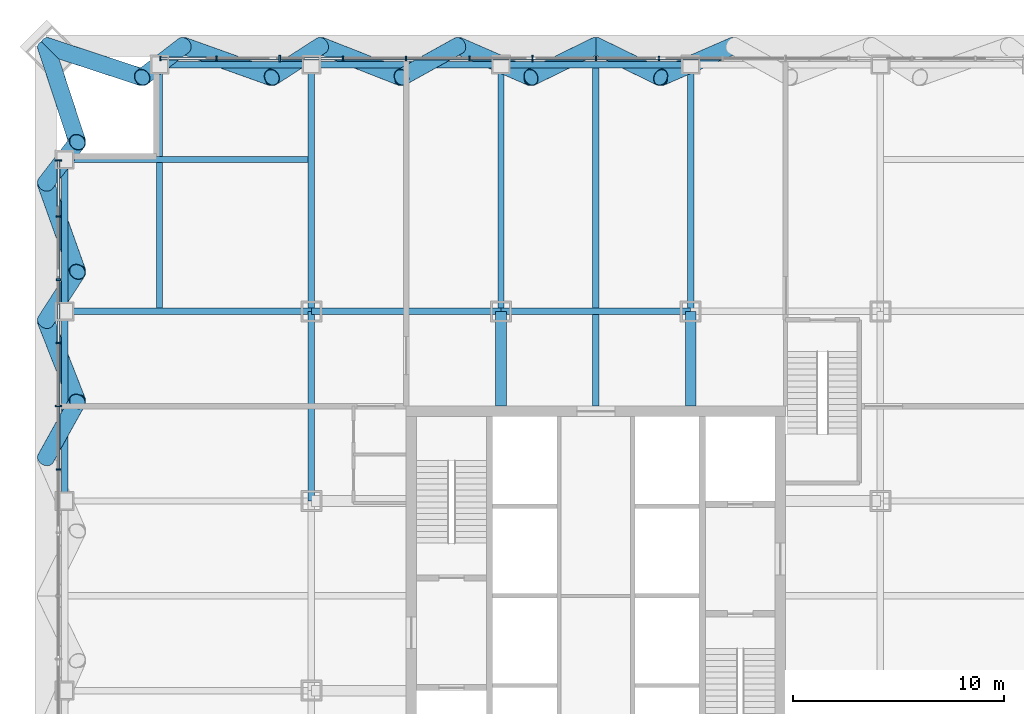
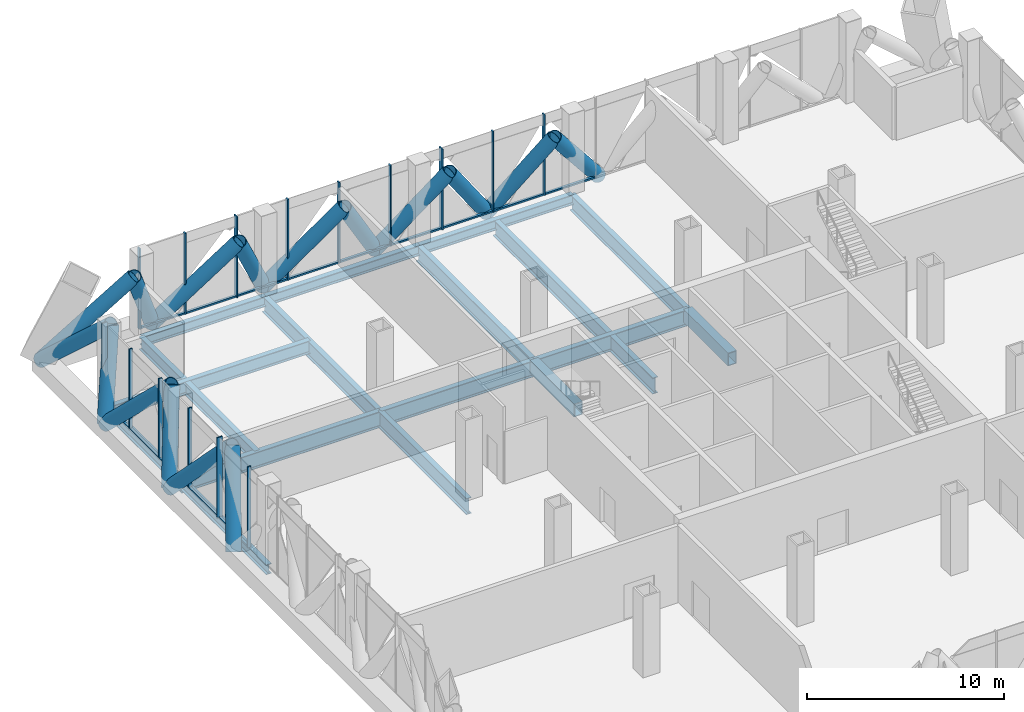
# One storey, part 10 of 26: 45 members, 17 beams, 2 elements without a shape of their own.
"""IFC4 building model written with IfcOpenShell, lengths in metres."""

from ifc_helpers import new_model, si_unit, direction, frame, origin, origin_2d, place, context, subcontext, project, spatial, rectangle, hollow_rectangle, hollow_circle, i_section, extrude, material, layer, layer_set, material_profile, profile_set, type_object, element, aggregate, save


model = new_model("IFC4")

# Units and contexts
model_context = context("Model", 3, precision=1e-05, world=origin(), true_north=direction((0.0, 1.0)))
body_context = subcontext(model_context, "Body", "Model", "MODEL_VIEW")
ifc_project = project(units=[si_unit("LENGTHUNIT", "METRE"), si_unit("AREAUNIT", "SQUARE_METRE"), si_unit("VOLUMEUNIT", "CUBIC_METRE"), si_unit("PLANEANGLEUNIT", "RADIAN"), si_unit("MASSUNIT", "GRAM", prefix="KILO")], contexts=[model_context])

# Site, building, storey
site_placement = place(None, origin())
site = spatial("IfcSite", under=ifc_project, at=site_placement, CompositionType="ELEMENT")
building_placement = place(site_placement, origin())
building = spatial("IfcBuilding", under=site, at=building_placement, Name="Malebo Sky Hospital", CompositionType="ELEMENT")
storey_placement = place(building_placement, frame((0.0, 0.0, 95.0)))
storey = spatial("IfcBuildingStorey", under=building, at=storey_placement, Name="L22", CompositionType="ELEMENT", Elevation=95.0)

# Curtain wall, members
ifc_material_1 = material(Name="Anodised aluminium, natural silver", Category="aluminium")
ifc_layer = layer(ifc_material_1, 0.25)
ifc_layer_set = layer_set([ifc_layer], Name="PLANT LOUVRE SCREEN")
curtain_wall_type = type_object("IfcCurtainWallType", Name="PLANT LOUVRE SCREEN", PredefinedType="NOTDEFINED", material=ifc_layer_set)
curtain_wall_1_placement = place(storey_placement, origin())
curtain_wall_1 = element("IfcCurtainWall", 1, at=curtain_wall_1_placement, inside=storey, type_object=curtain_wall_type, Name="PLANT curtain wall N", PredefinedType="NOTDEFINED")
ifc_material_profile_1 = material_profile(ifc_material_1, rectangle(XDim=0.14990234375, YDim=0.10009765625, at=origin_2d()), Name="ALUMINIUM TRANSOM 150x100")
ifc_profile_set_1 = profile_set([ifc_material_profile_1], Name="Anodised aluminium, natural silver")
member_type_1 = type_object("IfcMemberType", Name="ALUMINIUM TRANSOM 150x100", PredefinedType="USERDEFINED", material=ifc_profile_set_1)
member_1_placement = place(storey_placement, frame((39.375, 87.5, 0.050048828125), z_axis=(1.0, 0.0, 0.0), x_axis=(0.0, 1.0, 0.0)))
member_1 = element("IfcMember", 2, at=member_1_placement, type_object=member_type_1, Name="Transom 1", ObjectType="TRANSOM", PredefinedType="USERDEFINED", context=body_context, shape_type="SweptSolid", body=[
    extrude(rectangle(XDim=0.14990234375, YDim=0.10009765625, at=origin_2d()), origin(), (0.0, 0.0, 1.0), 2.58740234375),
])
member_2_placement = place(storey_placement, frame((42.03759765625, 87.5, 0.050048828125), z_axis=(1.0, 0.0, 0.0), x_axis=(0.0, 1.0, 0.0)))
member_2 = element("IfcMember", 3, at=member_2_placement, type_object=member_type_1, Name="Transom 2", ObjectType="TRANSOM", PredefinedType="USERDEFINED", context=body_context, shape_type="SweptSolid", body=[
    extrude(rectangle(XDim=0.14990234375, YDim=0.10009765625, at=origin_2d()), origin(), (0.0, 0.0, 1.0), 2.9248046875),
])
member_3_placement = place(storey_placement, frame((45.03759765625, 87.5, 0.050048828125), z_axis=(1.0, 0.0, 0.0), x_axis=(0.0, 1.0, 0.0)))
member_3 = element("IfcMember", 4, at=member_3_placement, type_object=member_type_1, Name="Transom 3", ObjectType="TRANSOM", PredefinedType="USERDEFINED", context=body_context, shape_type="SweptSolid", body=[
    extrude(rectangle(XDim=0.14990234375, YDim=0.10009765625, at=origin_2d()), origin(), (0.0, 0.0, 1.0), 2.9248046875),
])
member_4_placement = place(storey_placement, frame((48.03759765625, 87.5, 0.050048828125), z_axis=(1.0, 0.0, 0.0), x_axis=(0.0, 1.0, 0.0)))
member_4 = element("IfcMember", 5, at=member_4_placement, type_object=member_type_1, Name="Transom 4", ObjectType="TRANSOM", PredefinedType="USERDEFINED", context=body_context, shape_type="SweptSolid", body=[
    extrude(rectangle(XDim=0.14990234375, YDim=0.10009765625, at=origin_2d()), origin(), (0.0, 0.0, 1.0), 2.9248046875),
])
member_5_placement = place(storey_placement, frame((51.03759765625, 87.5, 0.050048828125), z_axis=(1.0, 0.0, 0.0), x_axis=(0.0, 1.0, 0.0)))
member_5 = element("IfcMember", 6, at=member_5_placement, type_object=member_type_1, Name="Transom 5", ObjectType="TRANSOM", PredefinedType="USERDEFINED", context=body_context, shape_type="SweptSolid", body=[
    extrude(rectangle(XDim=0.14990234375, YDim=0.10009765625, at=origin_2d()), origin(), (0.0, 0.0, 1.0), 2.9248046875),
])
member_6_placement = place(storey_placement, frame((54.03759765625, 87.5, 0.050048828125), z_axis=(1.0, 0.0, 0.0), x_axis=(0.0, 1.0, 0.0)))
member_6 = element("IfcMember", 7, at=member_6_placement, type_object=member_type_1, Name="Transom 6", ObjectType="TRANSOM", PredefinedType="USERDEFINED", context=body_context, shape_type="SweptSolid", body=[
    extrude(rectangle(XDim=0.14990234375, YDim=0.10009765625, at=origin_2d()), origin(), (0.0, 0.0, 1.0), 2.9248046875),
])
member_7_placement = place(storey_placement, frame((57.03759765625, 87.5, 0.050048828125), z_axis=(1.0, 0.0, 0.0), x_axis=(0.0, 1.0, 0.0)))
member_7 = element("IfcMember", 8, at=member_7_placement, type_object=member_type_1, Name="Transom 7", ObjectType="TRANSOM", PredefinedType="USERDEFINED", context=body_context, shape_type="SweptSolid", body=[
    extrude(rectangle(XDim=0.14990234375, YDim=0.10009765625, at=origin_2d()), origin(), (0.0, 0.0, 1.0), 2.9248046875),
])
member_8_placement = place(storey_placement, frame((60.03759765625, 87.5, 0.050048828125), z_axis=(1.0, 0.0, 0.0), x_axis=(0.0, 1.0, 0.0)))
member_8 = element("IfcMember", 9, at=member_8_placement, type_object=member_type_1, Name="Transom 8", ObjectType="TRANSOM", PredefinedType="USERDEFINED", context=body_context, shape_type="SweptSolid", body=[
    extrude(rectangle(XDim=0.14990234375, YDim=0.10009765625, at=origin_2d()), origin(), (0.0, 0.0, 1.0), 2.9248046875),
])
member_9_placement = place(storey_placement, frame((63.03759765625, 87.5, 0.050048828125), z_axis=(1.0, 0.0, 0.0), x_axis=(0.0, 1.0, 0.0)))
member_9 = element("IfcMember", 10, at=member_9_placement, type_object=member_type_1, Name="Transom 9", ObjectType="TRANSOM", PredefinedType="USERDEFINED", context=body_context, shape_type="SweptSolid", body=[
    extrude(rectangle(XDim=0.14990234375, YDim=0.10009765625, at=origin_2d()), origin(), (0.0, 0.0, 1.0), 2.9248046875),
])

curtain_wall_2_placement = place(storey_placement, origin())
curtain_wall_2 = element("IfcCurtainWall", 11, at=curtain_wall_2_placement, inside=storey, type_object=curtain_wall_type, Name="PLANT curtain wall W", PredefinedType="NOTDEFINED")
member_10_placement = place(storey_placement, frame((34.5, 68.03759765625, 0.050048828125), z_axis=(0.0, 1.0, 0.0), x_axis=(-1.0, 0.0, 0.0)))
member_10 = element("IfcMember", 12, at=member_10_placement, type_object=member_type_1, Name="Transom 10", ObjectType="TRANSOM", PredefinedType="USERDEFINED", context=body_context, shape_type="SweptSolid", body=[
    extrude(rectangle(XDim=0.14990234375, YDim=0.10009765625, at=origin_2d()), origin(), (0.0, 0.0, 1.0), 2.9248046875),
])
member_11_placement = place(storey_placement, frame((34.5, 71.03759765625, 0.050048828125), z_axis=(0.0, 1.0, 0.0), x_axis=(-1.0, 0.0, 0.0)))
member_11 = element("IfcMember", 13, at=member_11_placement, type_object=member_type_1, Name="Transom 11", ObjectType="TRANSOM", PredefinedType="USERDEFINED", context=body_context, shape_type="SweptSolid", body=[
    extrude(rectangle(XDim=0.14990234375, YDim=0.10009765625, at=origin_2d()), origin(), (0.0, 0.0, 1.0), 2.9248046875),
])
member_12_placement = place(storey_placement, frame((34.5, 74.03759765625, 0.050048828125), z_axis=(0.0, 1.0, 0.0), x_axis=(-1.0, 0.0, 0.0)))
member_12 = element("IfcMember", 14, at=member_12_placement, type_object=member_type_1, Name="Transom 12", ObjectType="TRANSOM", PredefinedType="USERDEFINED", context=body_context, shape_type="SweptSolid", body=[
    extrude(rectangle(XDim=0.14990234375, YDim=0.10009765625, at=origin_2d()), origin(), (0.0, 0.0, 1.0), 2.9248046875),
])
member_13_placement = place(storey_placement, frame((34.5, 77.03759765625, 0.050048828125), z_axis=(0.0, 1.0, 0.0), x_axis=(-1.0, 0.0, 0.0)))
member_13 = element("IfcMember", 15, at=member_13_placement, type_object=member_type_1, Name="Transom 13", ObjectType="TRANSOM", PredefinedType="USERDEFINED", context=body_context, shape_type="SweptSolid", body=[
    extrude(rectangle(XDim=0.14990234375, YDim=0.10009765625, at=origin_2d()), origin(), (0.0, 0.0, 1.0), 2.9248046875),
])
member_14_placement = place(storey_placement, frame((34.5, 80.03759765625, 0.050048828125), z_axis=(0.0, 1.0, 0.0), x_axis=(-1.0, 0.0, 0.0)))
member_14 = element("IfcMember", 16, at=member_14_placement, type_object=member_type_1, Name="Transom 14", ObjectType="TRANSOM", PredefinedType="USERDEFINED", context=body_context, shape_type="SweptSolid", body=[
    extrude(rectangle(XDim=0.14990234375, YDim=0.10009765625, at=origin_2d()), origin(), (0.0, 0.0, 1.0), 2.58740234375),
])

# Members
ifc_material_2 = material(Name="Steel S460", Category="steel")
ifc_material_profile_2 = material_profile(ifc_material_2, hollow_circle(Radius=0.406494140625, WallThickness=0.030029296875, at=origin_2d()), Name="CHS 813x30")
ifc_profile_set_2 = profile_set([ifc_material_profile_2], Name="Steel S460")
member_type_2 = type_object("IfcMemberType", Name="BELT TRUSS DIAGONAL CHS 813x30", PredefinedType="BRACE", material=ifc_profile_set_2)
member_15_placement = place(storey_placement, frame((66.52490234375, 88.10009765625, -0.39990234375), z_axis=(-0.592060400775, -0.257421208857, 0.763674540013), x_axis=(0.398730857498, -0.917067992724, 0.0)))
element("IfcMember", 17, at=member_15_placement, inside=storey, type_object=member_type_2, Name="Belt truss diagonal N4.1 L22", PredefinedType="BRACE", context=body_context, shape_type="SweptSolid", body=[
    extrude(hollow_circle(Radius=0.406494140625, WallThickness=0.030029296875, at=origin_2d()), origin(), (0.0, 0.0, 1.0), 5.826904296875),
])
for number, where, z_axis, x_axis, name in (
    (18, (63.074951171875, 86.60009765625, 4.050048828125), (-0.547812589262, 0.26722989666, -0.792773327867), (-0.438429255686, -0.898765702371, 0.0), "Belt truss diagonal N4.2 L22"),
    (19, (60.0, 88.10009765625, -0.39990234375), (-0.547812589262, -0.26722989666, 0.792773327867), (0.438429255686, -0.898765702371, 0.0), "Belt truss diagonal N5.1 L22"),
):
    element("IfcMember", number, at=place(storey_placement, frame(where, z_axis=z_axis, x_axis=x_axis)), inside=storey, type_object=member_type_2, Name=name, PredefinedType="BRACE", context=body_context, shape_type="SweptSolid", body=[
        extrude(hollow_circle(Radius=0.406494140625, WallThickness=0.030029296875, at=origin_2d()), origin(), (0.0, 0.0, 1.0), 5.613037109375),
    ])
member_16_placement = place(storey_placement, frame((56.925048828125, 86.60009765625, 4.050048828125), z_axis=(-0.592060400775, 0.257421208857, -0.763674540013), x_axis=(-0.398730857498, -0.917067992724, 0.0)))
element("IfcMember", 20, at=member_16_placement, inside=storey, type_object=member_type_2, Name="Belt truss diagonal N5.2 L22", PredefinedType="BRACE", context=body_context, shape_type="SweptSolid", body=[
    extrude(hollow_circle(Radius=0.406494140625, WallThickness=0.030029296875, at=origin_2d()), origin(), (0.0, 0.0, 1.0), 5.826904296875),
])
member_17_placement = place(storey_placement, frame((53.47509765625, 88.10009765625, -0.39990234375), z_axis=(-0.498473451586, -0.276909664245, 0.821489656606), x_axis=(0.48561608749, -0.874172188743, 0.0)))
element("IfcMember", 21, at=member_17_placement, inside=storey, type_object=member_type_2, Name="Belt truss diagonal N6.1 L22", PredefinedType="BRACE", context=body_context, shape_type="SweptSolid", body=[
    extrude(hollow_circle(Radius=0.406494140625, WallThickness=0.030029296875, at=origin_2d()), origin(), (0.0, 0.0, 1.0), 5.4169921875),
])
member_18_placement = place(storey_placement, frame((50.77490234375, 86.60009765625, 4.050048828125), z_axis=(-0.631535133578, 0.247663998258, -0.734728466186), x_axis=(-0.365091568196, -0.930971614408, 0.0)))
element("IfcMember", 22, at=member_18_placement, inside=storey, type_object=member_type_2, Name="Belt truss diagonal N6.2 L22", PredefinedType="BRACE", context=body_context, shape_type="SweptSolid", body=[
    extrude(hollow_circle(Radius=0.406494140625, WallThickness=0.030029296875, at=origin_2d()), origin(), (0.0, 0.0, 1.0), 6.056640625),
])
member_19_placement = place(storey_placement, frame((46.949951171875, 88.10009765625, -0.39990234375), z_axis=(-0.443694075542, -0.286260254135, 0.849229435566), x_axis=(0.542134909125, -0.840291461523, 0.0)))
element("IfcMember", 23, at=member_19_placement, inside=storey, type_object=member_type_2, Name="Belt truss diagonal N7.1 L22", PredefinedType="BRACE", context=body_context, shape_type="SweptSolid", body=[
    extrude(hollow_circle(Radius=0.406494140625, WallThickness=0.030029296875, at=origin_2d()), origin(), (0.0, 0.0, 1.0), 5.239990234375),
])
member_20_placement = place(storey_placement, frame((44.625, 86.60009765625, 4.050048828125), z_axis=(-0.666645015044, 0.238090273349, -0.706326727269), x_axis=(-0.336339864867, -0.941740673063, 0.0)))
element("IfcMember", 24, at=member_20_placement, inside=storey, type_object=member_type_2, Name="Belt truss diagonal N7.2 L22", PredefinedType="BRACE", context=body_context, shape_type="SweptSolid", body=[
    extrude(hollow_circle(Radius=0.406494140625, WallThickness=0.030029296875, at=origin_2d()), origin(), (0.0, 0.0, 1.0), 6.300048828125),
])
member_21_placement = place(storey_placement, frame((40.425048828125, 88.10009765625, -0.39990234375), z_axis=(-0.383492358509, -0.295001508786, 0.875161539819), x_axis=(0.609720352615, -0.792616610731, 0.0)))
element("IfcMember", 25, at=member_21_placement, inside=storey, type_object=member_type_2, Name="Belt truss diagonal N8.1 L22", PredefinedType="BRACE", context=body_context, shape_type="SweptSolid", body=[
    extrude(hollow_circle(Radius=0.406494140625, WallThickness=0.030029296875, at=origin_2d()), origin(), (0.0, 0.0, 1.0), 5.084716796875),
])
for number, where, z_axis, x_axis, name in (
    (26, (38.47509765625, 86.60009765625, 4.050048828125), (-0.697836710341, 0.228789154127, -0.678733709679), (-0.311538660116, -0.950233478285, 0.0), "Belt truss diagonal N8.2 L22"),
    (27, (33.89990234375, 88.10009765625, -0.39990234375), (0.228789154127, -0.697836710341, 0.678733709679), (0.950233478285, 0.311538660116, 0.0), "Belt truss diagonal W1.1 L22"),
):
    element("IfcMember", number, at=place(storey_placement, frame(where, z_axis=z_axis, x_axis=x_axis)), inside=storey, type_object=member_type_2, Name=name, PredefinedType="BRACE", context=body_context, shape_type="SweptSolid", body=[
        extrude(hollow_circle(Radius=0.406494140625, WallThickness=0.030029296875, at=origin_2d()), origin(), (0.0, 0.0, 1.0), 6.55615234375),
    ])
member_22_placement = place(storey_placement, frame((35.39990234375, 83.52490234375, 4.050048828125), z_axis=(-0.295001508786, -0.383492358509, -0.875161539819), x_axis=(0.792616610731, -0.609720352615, 0.0)))
element("IfcMember", 28, at=member_22_placement, inside=storey, type_object=member_type_2, Name="Belt truss diagonal W1.2 L22", PredefinedType="BRACE", context=body_context, shape_type="SweptSolid", body=[
    extrude(hollow_circle(Radius=0.406494140625, WallThickness=0.030029296875, at=origin_2d()), origin(), (0.0, 0.0, 1.0), 5.084716796875),
])
member_23_placement = place(storey_placement, frame((33.89990234375, 81.574951171875, -0.39990234375), z_axis=(0.238090273349, -0.666645015044, 0.706326727269), x_axis=(0.941740673063, 0.336339864867, 0.0)))
element("IfcMember", 29, at=member_23_placement, inside=storey, type_object=member_type_2, Name="Belt truss diagonal W2.1 L22", PredefinedType="BRACE", context=body_context, shape_type="SweptSolid", body=[
    extrude(hollow_circle(Radius=0.406494140625, WallThickness=0.030029296875, at=origin_2d()), origin(), (0.0, 0.0, 1.0), 6.300048828125),
])
member_24_placement = place(storey_placement, frame((35.39990234375, 77.375, 4.050048828125), z_axis=(-0.286260254135, -0.443694075542, -0.849229435566), x_axis=(0.840291461523, -0.542134909125, 0.0)))
element("IfcMember", 30, at=member_24_placement, inside=storey, type_object=member_type_2, Name="Belt truss diagonal W2.2 L22", PredefinedType="BRACE", context=body_context, shape_type="SweptSolid", body=[
    extrude(hollow_circle(Radius=0.406494140625, WallThickness=0.030029296875, at=origin_2d()), origin(), (0.0, 0.0, 1.0), 5.239990234375),
])
member_25_placement = place(storey_placement, frame((33.89990234375, 75.050048828125, -0.39990234375), z_axis=(0.247663998258, -0.631535133578, 0.734728466186), x_axis=(0.930971614408, 0.365091568196, 0.0)))
element("IfcMember", 31, at=member_25_placement, inside=storey, type_object=member_type_2, Name="Belt truss diagonal W3.1 L22", PredefinedType="BRACE", context=body_context, shape_type="SweptSolid", body=[
    extrude(hollow_circle(Radius=0.406494140625, WallThickness=0.030029296875, at=origin_2d()), origin(), (0.0, 0.0, 1.0), 6.056640625),
])
member_26_placement = place(storey_placement, frame((35.39990234375, 71.22509765625, 4.050048828125), z_axis=(-0.276909664245, -0.498473451586, -0.821489656606), x_axis=(0.874172188743, -0.48561608749, 0.0)))
element("IfcMember", 32, at=member_26_placement, inside=storey, type_object=member_type_2, Name="Belt truss diagonal W3.2 L22", PredefinedType="BRACE", context=body_context, shape_type="SweptSolid", body=[
    extrude(hollow_circle(Radius=0.406494140625, WallThickness=0.030029296875, at=origin_2d()), origin(), (0.0, 0.0, 1.0), 5.4169921875),
])

# Member
ifc_material_profile_3 = material_profile(ifc_material_1, rectangle(XDim=0.074951171875, YDim=0.199951171875, at=origin_2d()), Name="CW5 ALUMINIUM FIN MULLION 75x200")
ifc_profile_set_3 = profile_set([ifc_material_profile_3], Name="Anodised aluminium, natural silver")
member_type_3 = type_object("IfcMemberType", Name="CW5 ALUMINIUM FIN MULLION 75x200", PredefinedType="MULLION", material=ifc_profile_set_3)
member_27_placement = place(storey_placement, frame((39.33740234375, 87.5, 0.0), z_axis=(0.0, 0.0, 1.0), x_axis=(1.0, 0.0, 0.0)))
member_27 = element("IfcMember", 33, at=member_27_placement, type_object=member_type_3, Name="Fin mullion 1", PredefinedType="MULLION", context=body_context, shape_type="SweptSolid", body=[
    extrude(rectangle(XDim=0.074951171875, YDim=0.199951171875, at=origin_2d()), origin(), (0.0, 0.0, 1.0), 5.0),
])

member_28_placement = place(storey_placement, frame((42.0, 87.5, 0.0), z_axis=(0.0, 0.0, 1.0), x_axis=(1.0, 0.0, 0.0)))
member_28 = element("IfcMember", 34, at=member_28_placement, type_object=member_type_3, Name="Fin mullion 2", PredefinedType="MULLION", context=body_context, shape_type="SweptSolid", body=[
    extrude(rectangle(XDim=0.074951171875, YDim=0.199951171875, at=origin_2d()), origin(), (0.0, 0.0, 1.0), 5.0),
])

member_29_placement = place(storey_placement, frame((48.0, 87.5, 0.0), z_axis=(0.0, 0.0, 1.0), x_axis=(1.0, 0.0, 0.0)))
member_29 = element("IfcMember", 35, at=member_29_placement, type_object=member_type_3, Name="Fin mullion 4", PredefinedType="MULLION", context=body_context, shape_type="SweptSolid", body=[
    extrude(rectangle(XDim=0.074951171875, YDim=0.199951171875, at=origin_2d()), origin(), (0.0, 0.0, 1.0), 5.0),
])

member_30_placement = place(storey_placement, frame((51.0, 87.5, 0.0), z_axis=(0.0, 0.0, 1.0), x_axis=(1.0, 0.0, 0.0)))
member_30 = element("IfcMember", 36, at=member_30_placement, type_object=member_type_3, Name="Fin mullion 5", PredefinedType="MULLION", context=body_context, shape_type="SweptSolid", body=[
    extrude(rectangle(XDim=0.074951171875, YDim=0.199951171875, at=origin_2d()), origin(), (0.0, 0.0, 1.0), 5.0),
])

member_31_placement = place(storey_placement, frame((54.0, 87.5, 0.0), z_axis=(0.0, 0.0, 1.0), x_axis=(1.0, 0.0, 0.0)))
member_31 = element("IfcMember", 37, at=member_31_placement, type_object=member_type_3, Name="Fin mullion 6", PredefinedType="MULLION", context=body_context, shape_type="SweptSolid", body=[
    extrude(rectangle(XDim=0.074951171875, YDim=0.199951171875, at=origin_2d()), origin(), (0.0, 0.0, 1.0), 5.0),
])

member_32_placement = place(storey_placement, frame((60.0, 87.5, 0.0), z_axis=(0.0, 0.0, 1.0), x_axis=(1.0, 0.0, 0.0)))
member_32 = element("IfcMember", 38, at=member_32_placement, type_object=member_type_3, Name="Fin mullion 8", PredefinedType="MULLION", context=body_context, shape_type="SweptSolid", body=[
    extrude(rectangle(XDim=0.074951171875, YDim=0.199951171875, at=origin_2d()), origin(), (0.0, 0.0, 1.0), 5.0),
])

member_33_placement = place(storey_placement, frame((63.0, 87.5, 0.0), z_axis=(0.0, 0.0, 1.0), x_axis=(1.0, 0.0, 0.0)))
member_33 = element("IfcMember", 39, at=member_33_placement, type_object=member_type_3, Name="Fin mullion 9", PredefinedType="MULLION", context=body_context, shape_type="SweptSolid", body=[
    extrude(rectangle(XDim=0.074951171875, YDim=0.199951171875, at=origin_2d()), origin(), (0.0, 0.0, 1.0), 5.0),
])

member_34_placement = place(storey_placement, frame((34.5, 68.0, 0.0), z_axis=(0.0, 0.0, 1.0), x_axis=(0.0, 1.0, 0.0)))
member_34 = element("IfcMember", 40, at=member_34_placement, type_object=member_type_3, Name="Fin mullion 10", PredefinedType="MULLION", context=body_context, shape_type="SweptSolid", body=[
    extrude(rectangle(XDim=0.074951171875, YDim=0.199951171875, at=origin_2d()), origin(), (0.0, 0.0, 1.0), 5.0),
])

member_35_placement = place(storey_placement, frame((34.5, 74.0, 0.0), z_axis=(0.0, 0.0, 1.0), x_axis=(0.0, 1.0, 0.0)))
member_35 = element("IfcMember", 41, at=member_35_placement, type_object=member_type_3, Name="Fin mullion 12", PredefinedType="MULLION", context=body_context, shape_type="SweptSolid", body=[
    extrude(rectangle(XDim=0.074951171875, YDim=0.199951171875, at=origin_2d()), origin(), (0.0, 0.0, 1.0), 5.0),
])

member_36_placement = place(storey_placement, frame((34.5, 77.0, 0.0), z_axis=(0.0, 0.0, 1.0), x_axis=(0.0, 1.0, 0.0)))
member_36 = element("IfcMember", 42, at=member_36_placement, type_object=member_type_3, Name="Fin mullion 13", PredefinedType="MULLION", context=body_context, shape_type="SweptSolid", body=[
    extrude(rectangle(XDim=0.074951171875, YDim=0.199951171875, at=origin_2d()), origin(), (0.0, 0.0, 1.0), 5.0),
])

member_37_placement = place(storey_placement, frame((34.5, 80.0, 0.0), z_axis=(0.0, 0.0, 1.0), x_axis=(0.0, 1.0, 0.0)))
member_37 = element("IfcMember", 43, at=member_37_placement, type_object=member_type_3, Name="Fin mullion 14", PredefinedType="MULLION", context=body_context, shape_type="SweptSolid", body=[
    extrude(rectangle(XDim=0.074951171875, YDim=0.199951171875, at=origin_2d()), origin(), (0.0, 0.0, 1.0), 5.0),
])

ifc_material_profile_4 = material_profile(ifc_material_1, rectangle(XDim=0.074951171875, YDim=0.300048828125, at=origin_2d()), Name="CW5 ALUMINIUM FIN MULLION 75x300")
ifc_profile_set_4 = profile_set([ifc_material_profile_4], Name="Anodised aluminium, natural silver")
member_type_4 = type_object("IfcMemberType", Name="CW5 ALUMINIUM FIN MULLION 75x300", PredefinedType="MULLION", material=ifc_profile_set_4)
member_38_placement = place(storey_placement, frame((45.0, 87.5, 0.0), z_axis=(0.0, 0.0, 1.0), x_axis=(1.0, 0.0, 0.0)))
member_38 = element("IfcMember", 44, at=member_38_placement, type_object=member_type_4, Name="Fin mullion 3", PredefinedType="MULLION", context=body_context, shape_type="SweptSolid", body=[
    extrude(rectangle(XDim=0.074951171875, YDim=0.300048828125, at=origin_2d()), origin(), (0.0, 0.0, 1.0), 5.0),
])

member_39_placement = place(storey_placement, frame((57.0, 87.5, 0.0), z_axis=(0.0, 0.0, 1.0), x_axis=(1.0, 0.0, 0.0)))
member_39 = element("IfcMember", 45, at=member_39_placement, type_object=member_type_4, Name="Fin mullion 7", PredefinedType="MULLION", context=body_context, shape_type="SweptSolid", body=[
    extrude(rectangle(XDim=0.074951171875, YDim=0.300048828125, at=origin_2d()), origin(), (0.0, 0.0, 1.0), 5.0),
])

aggregate(curtain_wall_1, [member_27, member_28, member_38, member_29, member_30, member_31, member_39, member_32, member_33, member_1, member_2, member_3, member_4, member_5, member_6, member_7, member_8, member_9])

member_40_placement = place(storey_placement, frame((34.5, 71.0, 0.0), z_axis=(0.0, 0.0, 1.0), x_axis=(0.0, 1.0, 0.0)))
member_40 = element("IfcMember", 46, at=member_40_placement, type_object=member_type_4, Name="Fin mullion 11", PredefinedType="MULLION", context=body_context, shape_type="SweptSolid", body=[
    extrude(rectangle(XDim=0.074951171875, YDim=0.300048828125, at=origin_2d()), origin(), (0.0, 0.0, 1.0), 5.0),
])

member_41_placement = place(storey_placement, frame((34.5, 82.66259765625, 0.0), z_axis=(0.0, 0.0, 1.0), x_axis=(0.0, 1.0, 0.0)))
member_41 = element("IfcMember", 47, at=member_41_placement, type_object=member_type_4, Name="Fin mullion 15", PredefinedType="MULLION", context=body_context, shape_type="SweptSolid", body=[
    extrude(rectangle(XDim=0.074951171875, YDim=0.300048828125, at=origin_2d()), origin(), (0.0, 0.0, 1.0), 5.0),
])

aggregate(curtain_wall_2, [member_34, member_40, member_35, member_36, member_37, member_41, member_10, member_11, member_12, member_13, member_14])

# Beams
ifc_material_3 = material(Name="Steel S355", Category="steel")
ifc_material_profile_5 = material_profile(ifc_material_3, i_section(OverallWidth=0.304931640625, OverallDepth=0.6201171875, WebThickness=0.02099609375, FlangeThickness=0.0400390625, FilletRadius=0.027099609375, at=origin_2d()), Name="HEM 600")
ifc_profile_set_5 = profile_set([ifc_material_profile_5], Name="Steel S355")
beam_type_1 = type_object("IfcBeamType", Name="EDGE BEAM HEM 600", PredefinedType="BEAM", material=ifc_profile_set_5)
beam_1_placement = place(storey_placement, frame((34.800048828125, 66.5, -0.56005859375), z_axis=(0.0, 1.0, 0.0), x_axis=(-1.0, 0.0, 0.0)))
element("IfcBeam", 48, at=beam_1_placement, inside=storey, type_object=beam_type_1, Name="Beam 003 L22", PredefinedType="BEAM", context=body_context, shape_type="SweptSolid", body=[
    extrude(i_section(OverallWidth=0.304931640625, OverallDepth=0.6201171875, WebThickness=0.02099609375, FlangeThickness=0.0400390625, FilletRadius=0.027099609375, at=origin_2d()), origin(), (0.0, 0.0, 1.0), 9.0),
])
for number, where, z_axis, x_axis, name in (
    (49, (34.800048828125, 75.5, -0.56005859375), (0.0, 1.0, 0.0), (-1.0, 0.0, 0.0), "Beam 004 L22"),
    (50, (39.300048828125, 87.199951171875, -0.56005859375), (1.0, 0.0, 0.0), (0.0, 1.0, 0.0), "Beam 063 L22"),
):
    element("IfcBeam", number, at=place(storey_placement, frame(where, z_axis=z_axis, x_axis=x_axis)), inside=storey, type_object=beam_type_1, Name=name, PredefinedType="BEAM", context=body_context, shape_type="SweptSolid", body=[
        extrude(i_section(OverallWidth=0.304931640625, OverallDepth=0.6201171875, WebThickness=0.02099609375, FlangeThickness=0.0400390625, FilletRadius=0.027099609375, at=origin_2d()), origin(), (0.0, 0.0, 1.0), 7.199951171875),
    ])
for number, where, z_axis, x_axis, name in (
    (51, (46.5, 87.199951171875, -0.56005859375), (1.0, 0.0, 0.0), (0.0, 1.0, 0.0), "Beam 064 L22"),
    (52, (55.5, 87.199951171875, -0.56005859375), (1.0, 0.0, 0.0), (0.0, 1.0, 0.0), "Beam 065 L22"),
):
    element("IfcBeam", number, at=place(storey_placement, frame(where, z_axis=z_axis, x_axis=x_axis)), inside=storey, type_object=beam_type_1, Name=name, PredefinedType="BEAM", context=body_context, shape_type="SweptSolid", body=[
        extrude(i_section(OverallWidth=0.304931640625, OverallDepth=0.6201171875, WebThickness=0.02099609375, FlangeThickness=0.0400390625, FilletRadius=0.027099609375, at=origin_2d()), origin(), (0.0, 0.0, 1.0), 9.0),
    ])
ifc_material_profile_6 = material_profile(ifc_material_3, i_section(OverallWidth=0.300048828125, OverallDepth=1.0, WebThickness=0.01904296875, FlangeThickness=0.035888671875, FilletRadius=0.030029296875, at=origin_2d()), Name="HEB 1000")
ifc_profile_set_6 = profile_set([ifc_material_profile_6], Name="Steel S355")
beam_type_2 = type_object("IfcBeamType", Name="FLOOR BEAM HEB 1000", PredefinedType="BEAM", material=ifc_profile_set_6)
beam_2_placement = place(storey_placement, frame((46.5, 66.5, -0.75), z_axis=(0.0, 1.0, 0.0), x_axis=(-1.0, 0.0, 0.0)))
element("IfcBeam", 53, at=beam_2_placement, inside=storey, type_object=beam_type_2, Name="Beam 010 L22", PredefinedType="BEAM", context=body_context, shape_type="SweptSolid", body=[
    extrude(i_section(OverallWidth=0.300048828125, OverallDepth=1.0, WebThickness=0.01904296875, FlangeThickness=0.035888671875, FilletRadius=0.030029296875, at=origin_2d()), origin(), (0.0, 0.0, 1.0), 9.0),
])
beam_3_placement = place(storey_placement, frame((55.5, 75.5, -0.75), z_axis=(0.0, 1.0, 0.0), x_axis=(-1.0, 0.0, 0.0)))
element("IfcBeam", 54, at=beam_3_placement, inside=storey, type_object=beam_type_2, Name="Beam 015 L22", PredefinedType="BEAM", context=body_context, shape_type="SweptSolid", body=[
    extrude(i_section(OverallWidth=0.300048828125, OverallDepth=1.0, WebThickness=0.01904296875, FlangeThickness=0.035888671875, FilletRadius=0.030029296875, at=origin_2d()), origin(), (0.0, 0.0, 1.0), 11.699951171875),
])
beam_4_placement = place(storey_placement, frame((60.0, 71.0, -0.75), z_axis=(0.0, 1.0, 0.0), x_axis=(-1.0, 0.0, 0.0)))
element("IfcBeam", 55, at=beam_4_placement, inside=storey, type_object=beam_type_2, Name="Beam 017 L22", PredefinedType="BEAM", context=body_context, shape_type="SweptSolid", body=[
    extrude(i_section(OverallWidth=0.300048828125, OverallDepth=1.0, WebThickness=0.01904296875, FlangeThickness=0.035888671875, FilletRadius=0.030029296875, at=origin_2d()), origin(), (0.0, 0.0, 1.0), 16.199951171875),
])
beam_5_placement = place(storey_placement, frame((64.5, 75.5, -0.75), z_axis=(0.0, 1.0, 0.0), x_axis=(-1.0, 0.0, 0.0)))
element("IfcBeam", 56, at=beam_5_placement, inside=storey, type_object=beam_type_2, Name="Beam 021 L22", PredefinedType="BEAM", context=body_context, shape_type="SweptSolid", body=[
    extrude(i_section(OverallWidth=0.300048828125, OverallDepth=1.0, WebThickness=0.01904296875, FlangeThickness=0.035888671875, FilletRadius=0.030029296875, at=origin_2d()), origin(), (0.0, 0.0, 1.0), 11.699951171875),
])
beam_6_placement = place(storey_placement, frame((46.5, 75.5, -0.75), z_axis=(1.0, 0.0, 0.0), x_axis=(0.0, 1.0, 0.0)))
element("IfcBeam", 57, at=beam_6_placement, inside=storey, type_object=beam_type_2, Name="Beam 057 L22", PredefinedType="BEAM", context=body_context, shape_type="SweptSolid", body=[
    extrude(i_section(OverallWidth=0.300048828125, OverallDepth=1.0, WebThickness=0.01904296875, FlangeThickness=0.035888671875, FilletRadius=0.030029296875, at=origin_2d()), origin(), (0.0, 0.0, 1.0), 9.0),
])
ifc_material_profile_7 = material_profile(ifc_material_3, i_section(OverallWidth=0.300048828125, OverallDepth=0.800048828125, WebThickness=0.017578125, FlangeThickness=0.032958984375, FilletRadius=0.030029296875, at=origin_2d()), Name="HEB 800")
ifc_profile_set_7 = profile_set([ifc_material_profile_7], Name="Steel S355")
beam_type_3 = type_object("IfcBeamType", Name="FLOOR BEAM HEB 800", PredefinedType="BEAM", material=ifc_profile_set_7)
for number, where, z_axis, x_axis, name in (
    (58, (39.300048828125, 75.5, -0.64990234375), (0.0, 1.0, 0.0), (-1.0, 0.0, 0.0), "Beam 006 L22"),
    (59, (34.800048828125, 82.699951171875, -0.64990234375), (1.0, 0.0, 0.0), (0.0, 1.0, 0.0), "Beam 061 L22"),
):
    element("IfcBeam", number, at=place(storey_placement, frame(where, z_axis=z_axis, x_axis=x_axis)), inside=storey, type_object=beam_type_3, Name=name, PredefinedType="BEAM", context=body_context, shape_type="SweptSolid", body=[
        extrude(i_section(OverallWidth=0.300048828125, OverallDepth=0.800048828125, WebThickness=0.017578125, FlangeThickness=0.032958984375, FilletRadius=0.030029296875, at=origin_2d()), origin(), (0.0, 0.0, 1.0), 11.699951171875),
    ])
ifc_material_profile_8 = material_profile(ifc_material_3, i_section(OverallWidth=0.300048828125, OverallDepth=1.0, WebThickness=0.01904296875, FlangeThickness=0.035888671875, FilletRadius=0.030029296875, at=origin_2d()), Name="HEB 1000")
ifc_profile_set_8 = profile_set([ifc_material_profile_8], Name="Steel S355")
beam_type_4 = type_object("IfcBeamType", Name="FLOOR GIRDER HEB 1000", PredefinedType="BEAM", material=ifc_profile_set_8)
for number, where, z_axis, x_axis, name in (
    (60, (46.5, 75.5, -0.75), (0.0, 1.0, 0.0), (-1.0, 0.0, 0.0), "Beam 011 L22"),
    (61, (34.800048828125, 75.5, -0.75), (1.0, 0.0, 0.0), (0.0, 1.0, 0.0), "Beam 056 L22"),
):
    element("IfcBeam", number, at=place(storey_placement, frame(where, z_axis=z_axis, x_axis=x_axis)), inside=storey, type_object=beam_type_4, Name=name, PredefinedType="BEAM", context=body_context, shape_type="SweptSolid", body=[
        extrude(i_section(OverallWidth=0.300048828125, OverallDepth=1.0, WebThickness=0.01904296875, FlangeThickness=0.035888671875, FilletRadius=0.030029296875, at=origin_2d()), origin(), (0.0, 0.0, 1.0), 11.699951171875),
    ])
ifc_material_profile_9 = material_profile(ifc_material_2, hollow_rectangle(XDim=0.5, YDim=0.800048828125, WallThickness=0.0400390625, at=origin_2d()), Name="BOX 800x500x40")
ifc_profile_set_9 = profile_set([ifc_material_profile_9], Name="Steel S460")
beam_type_5 = type_object("IfcBeamType", Name="LINK BEAM BOX 800x500x40", PredefinedType="BEAM", material=ifc_profile_set_9)
for number, where, z_axis, x_axis, name in (
    (62, (55.5, 71.0, -0.64990234375), (0.0, 1.0, 0.0), (-1.0, 0.0, 0.0), "Beam 014 L22"),
    (63, (64.5, 71.0, -0.64990234375), (0.0, 1.0, 0.0), (-1.0, 0.0, 0.0), "Beam 020 L22"),
):
    element("IfcBeam", number, at=place(storey_placement, frame(where, z_axis=z_axis, x_axis=x_axis)), inside=storey, type_object=beam_type_5, Name=name, PredefinedType="BEAM", context=body_context, shape_type="SweptSolid", body=[
        extrude(hollow_rectangle(XDim=0.5, YDim=0.800048828125, WallThickness=0.0400390625, at=origin_2d()), origin(), (0.0, 0.0, 1.0), 4.5),
    ])
ifc_material_profile_10 = material_profile(ifc_material_3, i_section(OverallWidth=0.300048828125, OverallDepth=1.0, WebThickness=0.01904296875, FlangeThickness=0.035888671875, FilletRadius=0.030029296875, at=origin_2d()), Name="HEB 1000")
ifc_profile_set_10 = profile_set([ifc_material_profile_10], Name="Steel S355")
beam_type_6 = type_object("IfcBeamType", Name="RING GIRDER HEB 1000", PredefinedType="BEAM", material=ifc_profile_set_10)
beam_7_placement = place(storey_placement, frame((55.5, 75.5, -0.75), z_axis=(1.0, 0.0, 0.0), x_axis=(0.0, 1.0, 0.0)))
element("IfcBeam", 64, at=beam_7_placement, inside=storey, type_object=beam_type_6, Name="Beam 058 L22", PredefinedType="BEAM", context=body_context, shape_type="SweptSolid", body=[
    extrude(i_section(OverallWidth=0.300048828125, OverallDepth=1.0, WebThickness=0.01904296875, FlangeThickness=0.035888671875, FilletRadius=0.030029296875, at=origin_2d()), origin(), (0.0, 0.0, 1.0), 9.0),
])

save(model, "model.ifc")
